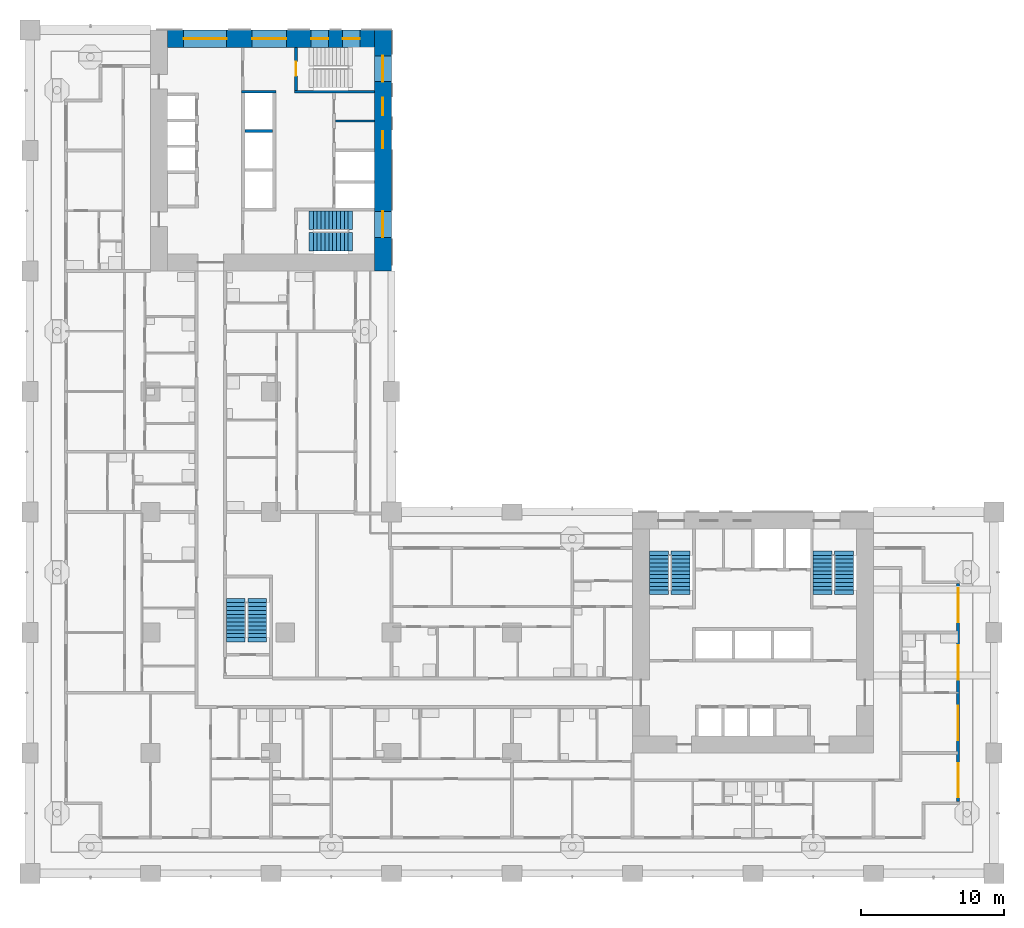
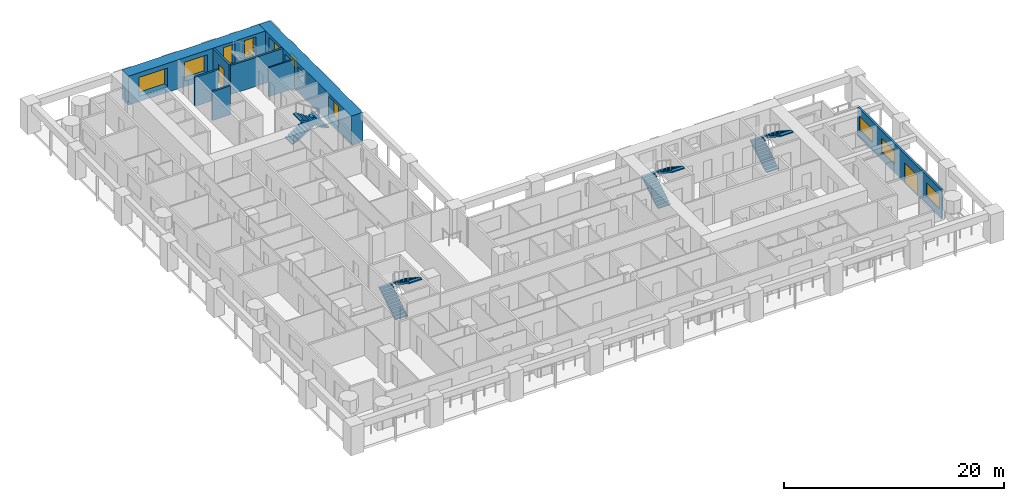
# One storey, part 10 of 21: 11 windows, 8 stair flights, 8 walls, 2 doors, 13 openings, 4 elements without a shape of their own.
"""IFC4 building model written with IfcOpenShell, lengths in metres."""

from ifc_helpers import new_model, si_unit, direction, frame, frame_2d, origin, place, context, subcontext, project, spatial, polyline, rectangle, outline, extrude, material, layer, layer_set, type_object, element, fill, aggregate, save


model = new_model("IFC4")

# Units and contexts
model_context = context("Model", 3, precision=1e-05, world=origin(), true_north=direction((0.0, 1.0)))
body_context = subcontext(model_context, "Body", "Model", "MODEL_VIEW")
ifc_project = project(units=[si_unit("LENGTHUNIT", "METRE"), si_unit("AREAUNIT", "SQUARE_METRE"), si_unit("VOLUMEUNIT", "CUBIC_METRE"), si_unit("PLANEANGLEUNIT", "RADIAN"), si_unit("MASSUNIT", "GRAM", prefix="KILO")], contexts=[model_context])

# Site, building, storey
site_placement = place(None, origin())
site = spatial("IfcSite", under=ifc_project, at=site_placement, CompositionType="ELEMENT")
building_placement = place(site_placement, origin())
building = spatial("IfcBuilding", under=site, at=building_placement, Name="Vermilion Gate Residences", CompositionType="ELEMENT")
storey_placement = place(building_placement, frame((0.0, 0.0, 67.199951171875)))
storey = spatial("IfcBuildingStorey", under=building, at=storey_placement, Name="L16", CompositionType="ELEMENT", Elevation=67.199951171875)

# Wall
ifc_material_1 = material(Name="Masonry blockwork", Category="masonry")
ifc_layer_1 = layer(ifc_material_1, 0.14990234375)
ifc_layer_set_1 = layer_set([ifc_layer_1], Name="BLOCKWORK PARTITION 150 EI 120")
wall_type_1 = type_object("IfcWallType", Name="BLOCKWORK PARTITION 150 EI 120", PredefinedType="PARTITIONING", material=ifc_layer_set_1)
wall_1_placement = place(storey_placement, frame((21.300048828125, 52.449951171875, 0.0), z_axis=(0.0, 0.0, 1.0), x_axis=(1.0, 0.0, 0.0)))
element("IfcWall", 1, at=wall_1_placement, inside=storey, type_object=wall_type_1, Name="Core room partition B16-NR-P0", PredefinedType="PARTITIONING", context=body_context, shape_type="SweptSolid", body=[
    extrude(rectangle(XDim=2.699951171875, YDim=0.14990234375, at=frame_2d((1.35009765625, 0.0))), origin(), (0.0, 0.0, 1.0), 3.219970703125),
])

# Wall, openings, door, windows
ifc_material_2 = material(Name="Insulated steel stud wall with terracotta rainscreen", Category="masonry")
ifc_layer_2 = layer(ifc_material_2, 0.199951171875)
ifc_layer_set_2 = layer_set([ifc_layer_2], Name="EXTERNAL WALL 200 TERRACOTTA RAINSCREEN")
wall_type_2 = type_object("IfcWallType", Name="EXTERNAL WALL 200 TERRACOTTA RAINSCREEN", PredefinedType="SOLIDWALL", material=ifc_layer_set_2)
wall_2_placement = place(storey_placement, frame((64.699951171875, 5.0, 0.0), z_axis=(0.0, 0.0, 1.0), x_axis=(0.0, 1.0, 0.0)))
wall_2 = element("IfcWall", 2, at=wall_2_placement, inside=storey, type_object=wall_type_2, Name="External wall", PredefinedType="SOLIDWALL", context=body_context, shape_type="SweptSolid", body=[
    extrude(rectangle(XDim=15.199951171875, YDim=0.199951171875, at=frame_2d((7.60009765625, 0.0))), origin(), (0.0, 0.0, 1.0), 3.219970703125),
])
opening_1_placement = place(wall_2_placement, frame((0.300048828125, 0.0, 0.89990234375)))
opening_1 = element("IfcOpeningElement", 3, at=opening_1_placement, cuts=wall_2, Name="Opening WE16028", PredefinedType="OPENING", context=body_context, shape_type="SweptSolid", body=[
    extrude(rectangle(XDim=2.39990234375, YDim=1.5, at=frame_2d((1.199951171875, 0.75))), frame((0.0, 0.10986328125, 0.0), z_axis=(0.0, -1.0, 0.0), x_axis=(1.0, 0.0, 0.0)), (0.0, 0.0, 1.0), 0.219970703125),
])
opening_2_placement = place(wall_2_placement, frame((4.300048828125, 0.0, 0.0)))
opening_2 = element("IfcOpeningElement", 4, at=opening_2_placement, cuts=wall_2, Name="Opening DE16029", PredefinedType="OPENING", context=body_context, shape_type="SweptSolid", body=[
    extrude(rectangle(XDim=2.39990234375, YDim=2.199951171875, at=frame_2d((1.199951171875, 1.10009765625))), frame((0.0, 0.10986328125, 0.0), z_axis=(0.0, -1.0, 0.0), x_axis=(1.0, 0.0, 0.0)), (0.0, 0.0, 1.0), 0.219970703125),
])
opening_3_placement = place(wall_2_placement, frame((8.5, 0.0, 0.89990234375)))
opening_3 = element("IfcOpeningElement", 5, at=opening_3_placement, cuts=wall_2, Name="Opening WE16030", PredefinedType="OPENING", context=body_context, shape_type="SweptSolid", body=[
    extrude(rectangle(XDim=2.39990234375, YDim=1.5, at=frame_2d((1.199951171875, 0.75))), frame((0.0, 0.10986328125, 0.0), z_axis=(0.0, -1.0, 0.0), x_axis=(1.0, 0.0, 0.0)), (0.0, 0.0, 1.0), 0.219970703125),
])
opening_4_placement = place(wall_2_placement, frame((12.5, 0.0, 0.89990234375)))
opening_4 = element("IfcOpeningElement", 6, at=opening_4_placement, cuts=wall_2, Name="Opening WE16031", PredefinedType="OPENING", context=body_context, shape_type="SweptSolid", body=[
    extrude(rectangle(XDim=2.39990234375, YDim=1.5, at=frame_2d((1.199951171875, 0.75))), frame((0.0, 0.10986328125, 0.0), z_axis=(0.0, -1.0, 0.0), x_axis=(1.0, 0.0, 0.0)), (0.0, 0.0, 1.0), 0.219970703125),
])
ifc_material_3 = material(Name="Aluminium and clear glass", Category="aluminium")
door_type_1 = type_object("IfcDoorType", Name="SLIDING GLAZED DOOR 2400 X 2200", OperationType="DOUBLE_DOOR_SLIDING", PredefinedType="DOOR", material=ifc_material_3)
door_1_placement = place(opening_2_placement, origin())
door_1 = element("IfcDoor", 7, at=door_1_placement, inside=storey, type_object=door_type_1, Name="Loggia sliding door", OperationType="DOUBLE_DOOR_SLIDING", OverallHeight=2.199951171875, OverallWidth=2.39990234375, PredefinedType="DOOR", context=body_context, shape_type="SweptSolid", body=[
    extrude(rectangle(XDim=2.39990234375, YDim=2.199951171875, at=frame_2d((1.199951171875, 1.10009765625))), frame((0.0, 0.02490234375, 0.0), z_axis=(0.0, -1.0, 0.0), x_axis=(1.0, 0.0, 0.0)), (0.0, 0.0, 1.0), 0.050048828125),
])
fill(opening_2, door_1)
ifc_material_4 = material(Name="Aluminium and clear glass", Category="aluminium")
window_type_1 = type_object("IfcWindowType", Name="WINDOW 2400 X 1500", PartitioningType="SINGLE_PANEL", PredefinedType="WINDOW", material=ifc_material_4)
window_1_placement = place(opening_1_placement, origin())
window_1 = element("IfcWindow", 8, at=window_1_placement, inside=storey, type_object=window_type_1, Name="Window", OverallHeight=1.5, OverallWidth=2.39990234375, PartitioningType="SINGLE_PANEL", PredefinedType="WINDOW", context=body_context, shape_type="SweptSolid", body=[
    extrude(rectangle(XDim=2.39990234375, YDim=1.5, at=frame_2d((1.199951171875, 0.75))), frame((0.0, 0.030029296875, 0.0), z_axis=(0.0, -1.0, 0.0), x_axis=(1.0, 0.0, 0.0)), (0.0, 0.0, 1.0), 0.06005859375),
])
fill(opening_1, window_1)
window_2_placement = place(opening_3_placement, origin())
window_2 = element("IfcWindow", 9, at=window_2_placement, inside=storey, type_object=window_type_1, Name="Window", OverallHeight=1.5, OverallWidth=2.39990234375, PartitioningType="SINGLE_PANEL", PredefinedType="WINDOW", context=body_context, shape_type="SweptSolid", body=[
    extrude(rectangle(XDim=2.39990234375, YDim=1.5, at=frame_2d((1.199951171875, 0.75))), frame((0.0, 0.030029296875, 0.0), z_axis=(0.0, -1.0, 0.0), x_axis=(1.0, 0.0, 0.0)), (0.0, 0.0, 1.0), 0.06005859375),
])
fill(opening_3, window_2)
window_3_placement = place(opening_4_placement, origin())
window_3 = element("IfcWindow", 10, at=window_3_placement, inside=storey, type_object=window_type_1, Name="Window", OverallHeight=1.5, OverallWidth=2.39990234375, PartitioningType="SINGLE_PANEL", PredefinedType="WINDOW", context=body_context, shape_type="SweptSolid", body=[
    extrude(rectangle(XDim=2.39990234375, YDim=1.5, at=frame_2d((1.199951171875, 0.75))), frame((0.0, 0.030029296875, 0.0), z_axis=(0.0, -1.0, 0.0), x_axis=(1.0, 0.0, 0.0)), (0.0, 0.0, 1.0), 0.06005859375),
])
fill(opening_4, window_3)

# Walls
ifc_material_5 = material(Name="Concrete C60", Category="concrete")
ifc_layer_3 = layer(ifc_material_5, 0.199951171875)
ifc_layer_set_3 = layer_set([ifc_layer_3], Name="RC CORE INTERNAL WALL 200 C60")
wall_type_3 = type_object("IfcWallType", Name="RC CORE INTERNAL WALL 200 C60", PredefinedType="SHEAR", material=ifc_layer_set_3)
wall_3_placement = place(storey_placement, frame((15.0, 51.7666015625, 0.0), z_axis=(0.0, 0.0, 1.0), x_axis=(1.0, 0.0, 0.0)))
element("IfcWall", 11, at=wall_3_placement, inside=storey, type_object=wall_type_3, Name="Core internal wall B16-HR-D1", PredefinedType="SHEAR", context=body_context, shape_type="SweptSolid", body=[
    extrude(rectangle(XDim=1.89990234375, YDim=0.199951171875, at=frame_2d((0.949951171875, 0.0))), origin(), (0.0, 0.0, 1.0), 3.219970703125),
])
wall_4_placement = place(storey_placement, frame((14.75, 54.5, 0.0), z_axis=(0.0, 0.0, 1.0), x_axis=(1.0, 0.0, 0.0)))
element("IfcWall", 12, at=wall_4_placement, inside=storey, type_object=wall_type_3, Name="Core internal wall B16-WDIV1", PredefinedType="SHEAR", context=body_context, shape_type="SweptSolid", body=[
    extrude(rectangle(XDim=2.39990234375, YDim=0.199951171875, at=frame_2d((1.199951171875, 0.0))), origin(), (0.0, 0.0, 1.0), 3.219970703125),
])
wall_5_placement = place(storey_placement, frame((18.449951171875, 54.5, 0.0), z_axis=(0.0, 0.0, 1.0), x_axis=(1.0, 0.0, 0.0)))
element("IfcWall", 13, at=wall_5_placement, inside=storey, type_object=wall_type_3, Name="Core internal wall B16-WDIV2", PredefinedType="SHEAR", context=body_context, shape_type="SweptSolid", body=[
    extrude(rectangle(XDim=5.550048828125, YDim=0.199951171875, at=frame_2d((2.77490234375, 0.0))), origin(), (0.0, 0.0, 1.0), 3.219970703125),
])

# Wall, opening, door
wall_6_placement = place(storey_placement, frame((18.550048828125, 57.60009765625, 0.0), z_axis=(0.0, 0.0, 1.0), x_axis=(0.0, -1.0, 0.0)))
wall_6 = element("IfcWall", 14, at=wall_6_placement, inside=storey, type_object=wall_type_3, Name="Core internal wall B16-STW-S", PredefinedType="SHEAR", context=body_context, shape_type="SweptSolid", body=[
    extrude(rectangle(XDim=3.0, YDim=0.199951171875, at=frame_2d((1.5, 0.0))), origin(), (0.0, 0.0, 1.0), 3.219970703125),
])
opening_5_placement = place(wall_6_placement, frame((1.0, 0.0, 0.0)))
opening_5 = element("IfcOpeningElement", 15, at=opening_5_placement, cuts=wall_6, Name="Opening DK16113", PredefinedType="OPENING", context=body_context, shape_type="SweptSolid", body=[
    extrude(rectangle(XDim=1.0, YDim=2.10009765625, at=frame_2d((0.5, 1.050048828125))), frame((0.0, 0.10986328125, 0.0), z_axis=(0.0, -1.0, 0.0), x_axis=(1.0, 0.0, 0.0)), (0.0, 0.0, 1.0), 0.219970703125),
])
ifc_material_6 = material(Name="Steel", Category="steel")
door_type_2 = type_object("IfcDoorType", Name="FIRE DOOR FD60 1000 X 2100", OperationType="SINGLE_SWING_LEFT", PredefinedType="DOOR", material=ifc_material_6)
door_2_placement = place(opening_5_placement, origin())
door_2 = element("IfcDoor", 16, at=door_2_placement, inside=storey, type_object=door_type_2, Name="Stair door B16", OperationType="SINGLE_SWING_LEFT", OverallHeight=2.10009765625, OverallWidth=1.0, PredefinedType="DOOR", context=body_context, shape_type="SweptSolid", body=[
    extrude(rectangle(XDim=1.0, YDim=2.10009765625, at=frame_2d((0.5, 1.050048828125))), frame((0.0, 0.02490234375, 0.0), z_axis=(0.0, -1.0, 0.0), x_axis=(1.0, 0.0, 0.0)), (0.0, 0.0, 1.0), 0.050048828125),
])
fill(opening_5, door_2)

# Wall, openings, windows
ifc_material_7 = material(Name="Concrete C80 red-oxide pigmented", Category="concrete")
ifc_layer_4 = layer(ifc_material_7, 1.199951171875)
ifc_layer_set_4 = layer_set([ifc_layer_4], Name="RC CORE WALL 1200 C80 RED OXIDE")
wall_type_4 = type_object("IfcWallType", Name="RC CORE WALL 1200 C80 RED OXIDE", PredefinedType="SHEAR", material=ifc_layer_set_4)
wall_7_placement = place(storey_placement, frame((24.60009765625, 58.800048828125, 0.0), z_axis=(0.0, 0.0, 1.0), x_axis=(0.0, -1.0, 0.0)))
wall_7 = element("IfcWall", 17, at=wall_7_placement, inside=storey, type_object=wall_type_4, Name="Core wall B16-OUT-B1", PredefinedType="SHEAR", context=body_context, shape_type="SweptSolid", body=[
    extrude(rectangle(XDim=16.800048828125, YDim=1.199951171875, at=frame_2d((8.39990234375, 0.0))), origin(), (0.0, 0.0, 1.0), 3.219970703125),
])
opening_6_placement = place(wall_7_placement, frame((1.800048828125, 0.0, 0.5)))
opening_6 = element("IfcOpeningElement", 18, at=opening_6_placement, cuts=wall_7, Name="Opening WKB1601", PredefinedType="OPENING", context=body_context, shape_type="SweptSolid", body=[
    extrude(rectangle(XDim=1.800048828125, YDim=2.39990234375, at=frame_2d((0.89990234375, 1.199951171875))), frame((0.0, 0.60986328125, 0.0), z_axis=(0.0, -1.0, 0.0), x_axis=(1.0, 0.0, 0.0)), (0.0, 0.0, 1.0), 1.219970703125),
])
opening_7_placement = place(wall_7_placement, frame((4.737548828125, 0.0, 1.60009765625)))
opening_7 = element("IfcOpeningElement", 19, at=opening_7_placement, cuts=wall_7, Name="Opening WKB1602", PredefinedType="OPENING", context=body_context, shape_type="SweptSolid", body=[
    extrude(rectangle(XDim=1.199951171875, YDim=1.199951171875, at=frame_2d((0.60009765625, 0.60009765625))), frame((0.0, 0.60986328125, 0.0), z_axis=(0.0, -1.0, 0.0), x_axis=(1.0, 0.0, 0.0)), (0.0, 0.0, 1.0), 1.219970703125),
])
opening_8_placement = place(wall_7_placement, frame((7.050048828125, 0.0, 1.60009765625)))
opening_8 = element("IfcOpeningElement", 20, at=opening_8_placement, cuts=wall_7, Name="Opening WKB1603", PredefinedType="OPENING", context=body_context, shape_type="SweptSolid", body=[
    extrude(rectangle(XDim=1.199951171875, YDim=1.199951171875, at=frame_2d((0.60009765625, 0.60009765625))), frame((0.0, 0.60986328125, 0.0), z_axis=(0.0, -1.0, 0.0), x_axis=(1.0, 0.0, 0.0)), (0.0, 0.0, 1.0), 1.219970703125),
])
opening_9_placement = place(wall_7_placement, frame((12.64990234375, 0.0, 0.5)))
opening_9 = element("IfcOpeningElement", 21, at=opening_9_placement, cuts=wall_7, Name="Opening WKB1604", PredefinedType="OPENING", context=body_context, shape_type="SweptSolid", body=[
    extrude(rectangle(XDim=1.800048828125, YDim=2.39990234375, at=frame_2d((0.89990234375, 1.199951171875))), frame((0.0, 0.60986328125, 0.0), z_axis=(0.0, -1.0, 0.0), x_axis=(1.0, 0.0, 0.0)), (0.0, 0.0, 1.0), 1.219970703125),
])
ifc_material_8 = material(Name="Aluminium frame with louvre blades", Category="aluminium")
window_type_2 = type_object("IfcWindowType", Name="CORE LOUVRE 1200 X 1200", PartitioningType="SINGLE_PANEL", PredefinedType="WINDOW", material=ifc_material_8)
window_4_placement = place(opening_7_placement, origin())
window_4 = element("IfcWindow", 22, at=window_4_placement, inside=storey, type_object=window_type_2, Name="Core louvre", OverallHeight=1.199951171875, OverallWidth=1.199951171875, PartitioningType="SINGLE_PANEL", PredefinedType="WINDOW", context=body_context, shape_type="SweptSolid", body=[
    extrude(rectangle(XDim=1.199951171875, YDim=1.199951171875, at=frame_2d((0.60009765625, 0.60009765625))), frame((0.0, 0.030029296875, 0.0), z_axis=(0.0, -1.0, 0.0), x_axis=(1.0, 0.0, 0.0)), (0.0, 0.0, 1.0), 0.06005859375),
])
fill(opening_7, window_4)
window_5_placement = place(opening_8_placement, origin())
window_5 = element("IfcWindow", 23, at=window_5_placement, inside=storey, type_object=window_type_2, Name="Core louvre", OverallHeight=1.199951171875, OverallWidth=1.199951171875, PartitioningType="SINGLE_PANEL", PredefinedType="WINDOW", context=body_context, shape_type="SweptSolid", body=[
    extrude(rectangle(XDim=1.199951171875, YDim=1.199951171875, at=frame_2d((0.60009765625, 0.60009765625))), frame((0.0, 0.030029296875, 0.0), z_axis=(0.0, -1.0, 0.0), x_axis=(1.0, 0.0, 0.0)), (0.0, 0.0, 1.0), 0.06005859375),
])
fill(opening_8, window_5)
ifc_material_9 = material(Name="Aluminium and clear glass", Category="aluminium")
window_type_3 = type_object("IfcWindowType", Name="CORE STAIR WINDOW 1800 X 2400", PartitioningType="SINGLE_PANEL", PredefinedType="WINDOW", material=ifc_material_9)
window_6_placement = place(opening_6_placement, origin())
window_6 = element("IfcWindow", 24, at=window_6_placement, inside=storey, type_object=window_type_3, Name="Core stair window", OverallHeight=2.39990234375, OverallWidth=1.800048828125, PartitioningType="SINGLE_PANEL", PredefinedType="WINDOW", context=body_context, shape_type="SweptSolid", body=[
    extrude(rectangle(XDim=1.800048828125, YDim=2.39990234375, at=frame_2d((0.89990234375, 1.199951171875))), frame((0.0, 0.030029296875, 0.0), z_axis=(0.0, -1.0, 0.0), x_axis=(1.0, 0.0, 0.0)), (0.0, 0.0, 1.0), 0.06005859375),
])
fill(opening_6, window_6)
window_7_placement = place(opening_9_placement, origin())
window_7 = element("IfcWindow", 25, at=window_7_placement, inside=storey, type_object=window_type_3, Name="Core stair window", OverallHeight=2.39990234375, OverallWidth=1.800048828125, PartitioningType="SINGLE_PANEL", PredefinedType="WINDOW", context=body_context, shape_type="SweptSolid", body=[
    extrude(rectangle(XDim=1.800048828125, YDim=2.39990234375, at=frame_2d((0.89990234375, 1.199951171875))), frame((0.0, 0.030029296875, 0.0), z_axis=(0.0, -1.0, 0.0), x_axis=(1.0, 0.0, 0.0)), (0.0, 0.0, 1.0), 0.06005859375),
])
fill(opening_9, window_7)

wall_8_placement = place(storey_placement, frame((9.60009765625, 58.199951171875, 0.0), z_axis=(0.0, 0.0, 1.0), x_axis=(1.0, 0.0, 0.0)))
wall_8 = element("IfcWall", 26, at=wall_8_placement, inside=storey, type_object=wall_type_4, Name="Core wall B16-OUT-FR", PredefinedType="SHEAR", context=body_context, shape_type="SweptSolid", body=[
    extrude(rectangle(XDim=14.39990234375, YDim=1.199951171875, at=frame_2d((7.199951171875, 0.0))), origin(), (0.0, 0.0, 1.0), 3.219970703125),
])
opening_10_placement = place(wall_8_placement, frame((1.10498046875, 0.0, 0.60009765625)))
opening_10 = element("IfcOpeningElement", 27, at=opening_10_placement, cuts=wall_8, Name="Opening WKB1605", PredefinedType="OPENING", context=body_context, shape_type="SweptSolid", body=[
    extrude(rectangle(XDim=3.0, YDim=2.10009765625, at=frame_2d((1.5, 1.050048828125))), frame((0.0, 0.60986328125, 0.0), z_axis=(0.0, -1.0, 0.0), x_axis=(1.0, 0.0, 0.0)), (0.0, 0.0, 1.0), 1.219970703125),
])
opening_11_placement = place(wall_8_placement, frame((5.875, 0.0, 0.60009765625)))
opening_11 = element("IfcOpeningElement", 28, at=opening_11_placement, cuts=wall_8, Name="Opening WKB1606", PredefinedType="OPENING", context=body_context, shape_type="SweptSolid", body=[
    extrude(rectangle(XDim=2.39990234375, YDim=2.10009765625, at=frame_2d((1.199951171875, 1.050048828125))), frame((0.0, 0.60986328125, 0.0), z_axis=(0.0, -1.0, 0.0), x_axis=(1.0, 0.0, 0.0)), (0.0, 0.0, 1.0), 1.219970703125),
])
opening_12_placement = place(wall_8_placement, frame((9.993408203125, 0.0, 0.5)))
opening_12 = element("IfcOpeningElement", 29, at=opening_12_placement, cuts=wall_8, Name="Opening WKB1607", PredefinedType="OPENING", context=body_context, shape_type="SweptSolid", body=[
    extrude(rectangle(XDim=1.199951171875, YDim=2.39990234375, at=frame_2d((0.60009765625, 1.199951171875))), frame((0.0, 0.60986328125, 0.0), z_axis=(0.0, -1.0, 0.0), x_axis=(1.0, 0.0, 0.0)), (0.0, 0.0, 1.0), 1.219970703125),
])
opening_13_placement = place(wall_8_placement, frame((12.19677734375, 0.0, 0.5)))
opening_13 = element("IfcOpeningElement", 30, at=opening_13_placement, cuts=wall_8, Name="Opening WKB1608", PredefinedType="OPENING", context=body_context, shape_type="SweptSolid", body=[
    extrude(rectangle(XDim=1.199951171875, YDim=2.39990234375, at=frame_2d((0.60009765625, 1.199951171875))), frame((0.0, 0.60986328125, 0.0), z_axis=(0.0, -1.0, 0.0), x_axis=(1.0, 0.0, 0.0)), (0.0, 0.0, 1.0), 1.219970703125),
])
ifc_material_10 = material(Name="Aluminium and clear glass", Category="aluminium")
window_type_4 = type_object("IfcWindowType", Name="CORE LOBBY WINDOW 2400 X 2100", PartitioningType="SINGLE_PANEL", PredefinedType="WINDOW", material=ifc_material_10)
window_8_placement = place(opening_11_placement, origin())
window_8 = element("IfcWindow", 31, at=window_8_placement, inside=storey, type_object=window_type_4, Name="Core lobby window", OverallHeight=2.10009765625, OverallWidth=2.39990234375, PartitioningType="SINGLE_PANEL", PredefinedType="WINDOW", context=body_context, shape_type="SweptSolid", body=[
    extrude(rectangle(XDim=2.39990234375, YDim=2.10009765625, at=frame_2d((1.199951171875, 1.050048828125))), frame((0.0, 0.030029296875, 0.0), z_axis=(0.0, -1.0, 0.0), x_axis=(1.0, 0.0, 0.0)), (0.0, 0.0, 1.0), 0.06005859375),
])
fill(opening_11, window_8)
ifc_material_11 = material(Name="Aluminium and clear glass", Category="aluminium")
window_type_5 = type_object("IfcWindowType", Name="CORE LOBBY WINDOW 3000 X 2100", PartitioningType="SINGLE_PANEL", PredefinedType="WINDOW", material=ifc_material_11)
window_9_placement = place(opening_10_placement, origin())
window_9 = element("IfcWindow", 32, at=window_9_placement, inside=storey, type_object=window_type_5, Name="Core lobby window", OverallHeight=2.10009765625, OverallWidth=3.0, PartitioningType="SINGLE_PANEL", PredefinedType="WINDOW", context=body_context, shape_type="SweptSolid", body=[
    extrude(rectangle(XDim=3.0, YDim=2.10009765625, at=frame_2d((1.5, 1.050048828125))), frame((0.0, 0.030029296875, 0.0), z_axis=(0.0, -1.0, 0.0), x_axis=(1.0, 0.0, 0.0)), (0.0, 0.0, 1.0), 0.06005859375),
])
fill(opening_10, window_9)
ifc_material_12 = material(Name="Aluminium and clear glass", Category="aluminium")
window_type_6 = type_object("IfcWindowType", Name="CORE STAIR WINDOW 1200 X 2400", PartitioningType="SINGLE_PANEL", PredefinedType="WINDOW", material=ifc_material_12)
window_10_placement = place(opening_12_placement, origin())
window_10 = element("IfcWindow", 33, at=window_10_placement, inside=storey, type_object=window_type_6, Name="Core stair window", OverallHeight=2.39990234375, OverallWidth=1.199951171875, PartitioningType="SINGLE_PANEL", PredefinedType="WINDOW", context=body_context, shape_type="SweptSolid", body=[
    extrude(rectangle(XDim=1.199951171875, YDim=2.39990234375, at=frame_2d((0.60009765625, 1.199951171875))), frame((0.0, 0.030029296875, 0.0), z_axis=(0.0, -1.0, 0.0), x_axis=(1.0, 0.0, 0.0)), (0.0, 0.0, 1.0), 0.06005859375),
])
fill(opening_12, window_10)
window_11_placement = place(opening_13_placement, origin())
window_11 = element("IfcWindow", 34, at=window_11_placement, inside=storey, type_object=window_type_6, Name="Core stair window", OverallHeight=2.39990234375, OverallWidth=1.199951171875, PartitioningType="SINGLE_PANEL", PredefinedType="WINDOW", context=body_context, shape_type="SweptSolid", body=[
    extrude(rectangle(XDim=1.199951171875, YDim=2.39990234375, at=frame_2d((0.60009765625, 1.199951171875))), frame((0.0, 0.030029296875, 0.0), z_axis=(0.0, -1.0, 0.0), x_axis=(1.0, 0.0, 0.0)), (0.0, 0.0, 1.0), 0.06005859375),
])
fill(opening_13, window_11)

# Stair, stair flights
ifc_material_13 = material(Name="Concrete C50", Category="concrete")
stair_type = type_object("IfcStairType", Name="SPECIAL ESCAPE STAIR 1300", PredefinedType="HALF_TURN_STAIR", material=ifc_material_13)
stair_1_placement = place(storey_placement, origin())
stair_1 = element("IfcStair", 35, at=stair_1_placement, inside=storey, type_object=stair_type, Name="Special escape stair STA1-16", PredefinedType="HALF_TURN_STAIR")
ifc_material_14 = material(Name="Concrete C50", Category="concrete")
stair_flight_type = type_object("IfcStairFlightType", Name="STAIR FLIGHT 1300 RC C50", PredefinedType="STRAIGHT", material=ifc_material_14)
stair_flight_1_placement = place(storey_placement, frame((43.85009765625, 19.75, 0.0), z_axis=(0.0, 0.0, 1.0), x_axis=(0.0, 1.0, 0.0)))
stair_flight_1 = element("IfcStairFlight", 36, at=stair_flight_1_placement, type_object=stair_flight_type, Name="STA1-16 flight 1", NumberOfRisers=10, NumberOfTreads=9, PredefinedType="STRAIGHT", RiserHeight=0.175, TreadLength=0.27, context=body_context, shape_type="SweptSolid", body=[
    extrude(outline(polyline([(-0.300048828125, -0.14990234375), (-0.300048828125, -0.030029296875), (0.0, 0.0), (0.0, 0.175048828125), (0.27001953125, 0.175048828125), (0.27001953125, 0.35009765625), (0.5400390625, 0.35009765625), (0.5400390625, 0.52490234375), (0.81005859375, 0.52490234375), (0.81005859375, 0.699951171875), (1.080078125, 0.699951171875), (1.080078125, 0.875), (1.35009765625, 0.875), (1.35009765625, 1.050048828125), (1.6201171875, 1.050048828125), (1.6201171875, 1.22509765625), (1.889892578125, 1.22509765625), (1.889892578125, 1.39990234375), (2.159912109375, 1.39990234375), (2.159912109375, 1.574951171875), (2.429931640625, 1.574951171875), (2.429931640625, 1.75), (2.72998046875, 1.719970703125), (2.72998046875, 1.60009765625), (2.429931640625, 1.396484375), (0.275634765625, 0.0), (-0.300048828125, -0.14990234375)])), frame((0.0, 0.64990234375, 0.0), z_axis=(0.0, -1.0, 0.0), x_axis=(1.0, 0.0, 0.0)), (0.0, 0.0, 1.0), 1.300048828125),
])
stair_flight_2_placement = place(storey_placement, frame((45.35009765625, 22.179931640625, 1.75), z_axis=(0.0, 0.0, 1.0), x_axis=(0.0, -1.0, 0.0)))
stair_flight_2 = element("IfcStairFlight", 37, at=stair_flight_2_placement, type_object=stair_flight_type, Name="STA1-16 flight 2", NumberOfRisers=10, NumberOfTreads=9, PredefinedType="STRAIGHT", RiserHeight=0.175, TreadLength=0.27, context=body_context, shape_type="SweptSolid", body=[
    extrude(outline(polyline([(-0.300048828125, -0.14990234375), (-0.300048828125, -0.030029296875), (0.0, 0.0), (0.0, 0.175048828125), (0.27001953125, 0.175048828125), (0.27001953125, 0.35009765625), (0.5400390625, 0.35009765625), (0.5400390625, 0.52490234375), (0.81005859375, 0.52490234375), (0.81005859375, 0.699951171875), (1.080078125, 0.699951171875), (1.080078125, 0.875), (1.35009765625, 0.875), (1.35009765625, 1.050048828125), (1.6201171875, 1.050048828125), (1.6201171875, 1.22509765625), (1.889892578125, 1.22509765625), (1.889892578125, 1.39990234375), (2.159912109375, 1.39990234375), (2.159912109375, 1.574951171875), (2.429931640625, 1.574951171875), (2.429931640625, 1.75), (2.72998046875, 1.719970703125), (2.72998046875, 1.60009765625), (2.429931640625, 1.396484375), (0.275634765625, 0.0), (-0.300048828125, -0.14990234375)])), frame((0.0, 0.64990234375, 0.0), z_axis=(0.0, -1.0, 0.0), x_axis=(1.0, 0.0, 0.0)), (0.0, 0.0, 1.0), 1.300048828125),
])
aggregate(stair_1, [stair_flight_1, stair_flight_2])

stair_2_placement = place(storey_placement, origin())
stair_2 = element("IfcStair", 38, at=stair_2_placement, inside=storey, type_object=stair_type, Name="Special escape stair STA2-16", PredefinedType="HALF_TURN_STAIR")
stair_flight_3_placement = place(storey_placement, frame((55.25, 19.75, 0.0), z_axis=(0.0, 0.0, 1.0), x_axis=(0.0, 1.0, 0.0)))
stair_flight_3 = element("IfcStairFlight", 39, at=stair_flight_3_placement, type_object=stair_flight_type, Name="STA2-16 flight 1", NumberOfRisers=10, NumberOfTreads=9, PredefinedType="STRAIGHT", RiserHeight=0.175, TreadLength=0.27, context=body_context, shape_type="SweptSolid", body=[
    extrude(outline(polyline([(-0.300048828125, -0.14990234375), (-0.300048828125, -0.030029296875), (0.0, 0.0), (0.0, 0.175048828125), (0.27001953125, 0.175048828125), (0.27001953125, 0.35009765625), (0.5400390625, 0.35009765625), (0.5400390625, 0.52490234375), (0.81005859375, 0.52490234375), (0.81005859375, 0.699951171875), (1.080078125, 0.699951171875), (1.080078125, 0.875), (1.35009765625, 0.875), (1.35009765625, 1.050048828125), (1.6201171875, 1.050048828125), (1.6201171875, 1.22509765625), (1.889892578125, 1.22509765625), (1.889892578125, 1.39990234375), (2.159912109375, 1.39990234375), (2.159912109375, 1.574951171875), (2.429931640625, 1.574951171875), (2.429931640625, 1.75), (2.72998046875, 1.719970703125), (2.72998046875, 1.60009765625), (2.429931640625, 1.396484375), (0.275634765625, 0.0), (-0.300048828125, -0.14990234375)])), frame((0.0, 0.64990234375, 0.0), z_axis=(0.0, -1.0, 0.0), x_axis=(1.0, 0.0, 0.0)), (0.0, 0.0, 1.0), 1.300048828125),
])
stair_flight_4_placement = place(storey_placement, frame((56.75, 22.179931640625, 1.75), z_axis=(0.0, 0.0, 1.0), x_axis=(0.0, -1.0, 0.0)))
stair_flight_4 = element("IfcStairFlight", 40, at=stair_flight_4_placement, type_object=stair_flight_type, Name="STA2-16 flight 2", NumberOfRisers=10, NumberOfTreads=9, PredefinedType="STRAIGHT", RiserHeight=0.175, TreadLength=0.27, context=body_context, shape_type="SweptSolid", body=[
    extrude(outline(polyline([(-0.300048828125, -0.14990234375), (-0.300048828125, -0.030029296875), (0.0, 0.0), (0.0, 0.175048828125), (0.27001953125, 0.175048828125), (0.27001953125, 0.35009765625), (0.5400390625, 0.35009765625), (0.5400390625, 0.52490234375), (0.81005859375, 0.52490234375), (0.81005859375, 0.699951171875), (1.080078125, 0.699951171875), (1.080078125, 0.875), (1.35009765625, 0.875), (1.35009765625, 1.050048828125), (1.6201171875, 1.050048828125), (1.6201171875, 1.22509765625), (1.889892578125, 1.22509765625), (1.889892578125, 1.39990234375), (2.159912109375, 1.39990234375), (2.159912109375, 1.574951171875), (2.429931640625, 1.574951171875), (2.429931640625, 1.75), (2.72998046875, 1.719970703125), (2.72998046875, 1.60009765625), (2.429931640625, 1.396484375), (0.275634765625, 0.0), (-0.300048828125, -0.14990234375)])), frame((0.0, 0.64990234375, 0.0), z_axis=(0.0, -1.0, 0.0), x_axis=(1.0, 0.0, 0.0)), (0.0, 0.0, 1.0), 1.300048828125),
])
aggregate(stair_2, [stair_flight_3, stair_flight_4])

stair_3_placement = place(storey_placement, origin())
stair_3 = element("IfcStair", 41, at=stair_3_placement, inside=storey, type_object=stair_type, Name="Special escape stair STB2-16", PredefinedType="HALF_TURN_STAIR")
stair_flight_5_placement = place(storey_placement, frame((19.75, 45.550048828125, 0.0), z_axis=(0.0, 0.0, 1.0), x_axis=(1.0, 0.0, 0.0)))
stair_flight_5 = element("IfcStairFlight", 42, at=stair_flight_5_placement, type_object=stair_flight_type, Name="STB2-16 flight 1", NumberOfRisers=10, NumberOfTreads=9, PredefinedType="STRAIGHT", RiserHeight=0.175, TreadLength=0.27, context=body_context, shape_type="SweptSolid", body=[
    extrude(outline(polyline([(-0.300048828125, -0.14990234375), (-0.300048828125, -0.030029296875), (0.0, 0.0), (0.0, 0.175048828125), (0.27001953125, 0.175048828125), (0.27001953125, 0.35009765625), (0.5400390625, 0.35009765625), (0.5400390625, 0.52490234375), (0.81005859375, 0.52490234375), (0.81005859375, 0.699951171875), (1.080078125, 0.699951171875), (1.080078125, 0.875), (1.35009765625, 0.875), (1.35009765625, 1.050048828125), (1.6201171875, 1.050048828125), (1.6201171875, 1.22509765625), (1.889892578125, 1.22509765625), (1.889892578125, 1.39990234375), (2.159912109375, 1.39990234375), (2.159912109375, 1.574951171875), (2.429931640625, 1.574951171875), (2.429931640625, 1.75), (2.72998046875, 1.719970703125), (2.72998046875, 1.60009765625), (2.429931640625, 1.396484375), (0.275634765625, 0.0), (-0.300048828125, -0.14990234375)])), frame((0.0, 0.64990234375, 0.0), z_axis=(0.0, -1.0, 0.0), x_axis=(1.0, 0.0, 0.0)), (0.0, 0.0, 1.0), 1.300048828125),
])
stair_flight_6_placement = place(storey_placement, frame((22.179931640625, 44.050048828125, 1.75), z_axis=(0.0, 0.0, 1.0), x_axis=(-1.0, 0.0, 0.0)))
stair_flight_6 = element("IfcStairFlight", 43, at=stair_flight_6_placement, type_object=stair_flight_type, Name="STB2-16 flight 2", NumberOfRisers=10, NumberOfTreads=9, PredefinedType="STRAIGHT", RiserHeight=0.175, TreadLength=0.27, context=body_context, shape_type="SweptSolid", body=[
    extrude(outline(polyline([(-0.300048828125, -0.14990234375), (-0.300048828125, -0.030029296875), (0.0, 0.0), (0.0, 0.175048828125), (0.27001953125, 0.175048828125), (0.27001953125, 0.35009765625), (0.5400390625, 0.35009765625), (0.5400390625, 0.52490234375), (0.81005859375, 0.52490234375), (0.81005859375, 0.699951171875), (1.080078125, 0.699951171875), (1.080078125, 0.875), (1.35009765625, 0.875), (1.35009765625, 1.050048828125), (1.6201171875, 1.050048828125), (1.6201171875, 1.22509765625), (1.889892578125, 1.22509765625), (1.889892578125, 1.39990234375), (2.159912109375, 1.39990234375), (2.159912109375, 1.574951171875), (2.429931640625, 1.574951171875), (2.429931640625, 1.75), (2.72998046875, 1.719970703125), (2.72998046875, 1.60009765625), (2.429931640625, 1.396484375), (0.275634765625, 0.0), (-0.300048828125, -0.14990234375)])), frame((0.0, 0.64990234375, 0.0), z_axis=(0.0, -1.0, 0.0), x_axis=(1.0, 0.0, 0.0)), (0.0, 0.0, 1.0), 1.300048828125),
])
aggregate(stair_3, [stair_flight_5, stair_flight_6])

stair_4_placement = place(storey_placement, origin())
stair_4 = element("IfcStair", 44, at=stair_4_placement, inside=storey, type_object=stair_type, Name="Special escape stair STC1-16", PredefinedType="HALF_TURN_STAIR")
stair_flight_7_placement = place(storey_placement, frame((14.35009765625, 16.449951171875, 0.0), z_axis=(0.0, 0.0, 1.0), x_axis=(0.0, 1.0, 0.0)))
stair_flight_7 = element("IfcStairFlight", 45, at=stair_flight_7_placement, type_object=stair_flight_type, Name="STC1-16 flight 1", NumberOfRisers=10, NumberOfTreads=9, PredefinedType="STRAIGHT", RiserHeight=0.175, TreadLength=0.27, context=body_context, shape_type="SweptSolid", body=[
    extrude(outline(polyline([(-0.300048828125, -0.14990234375), (-0.300048828125, -0.030029296875), (0.0, 0.0), (0.0, 0.175048828125), (0.27001953125, 0.175048828125), (0.27001953125, 0.35009765625), (0.5400390625, 0.35009765625), (0.5400390625, 0.52490234375), (0.81005859375, 0.52490234375), (0.81005859375, 0.699951171875), (1.080078125, 0.699951171875), (1.080078125, 0.875), (1.35009765625, 0.875), (1.35009765625, 1.050048828125), (1.6201171875, 1.050048828125), (1.6201171875, 1.22509765625), (1.889892578125, 1.22509765625), (1.889892578125, 1.39990234375), (2.159912109375, 1.39990234375), (2.159912109375, 1.574951171875), (2.429931640625, 1.574951171875), (2.429931640625, 1.75), (2.72998046875, 1.719970703125), (2.72998046875, 1.60009765625), (2.429931640625, 1.396484375), (0.275634765625, 0.0), (-0.300048828125, -0.14990234375)])), frame((0.0, 0.64990234375, 0.0), z_axis=(0.0, -1.0, 0.0), x_axis=(1.0, 0.0, 0.0)), (0.0, 0.0, 1.0), 1.300048828125),
])
stair_flight_8_placement = place(storey_placement, frame((15.85009765625, 18.8798828125, 1.75), z_axis=(0.0, 0.0, 1.0), x_axis=(0.0, -1.0, 0.0)))
stair_flight_8 = element("IfcStairFlight", 46, at=stair_flight_8_placement, type_object=stair_flight_type, Name="STC1-16 flight 2", NumberOfRisers=10, NumberOfTreads=9, PredefinedType="STRAIGHT", RiserHeight=0.175, TreadLength=0.27, context=body_context, shape_type="SweptSolid", body=[
    extrude(outline(polyline([(-0.300048828125, -0.14990234375), (-0.300048828125, -0.030029296875), (0.0, 0.0), (0.0, 0.175048828125), (0.27001953125, 0.175048828125), (0.27001953125, 0.35009765625), (0.5400390625, 0.35009765625), (0.5400390625, 0.52490234375), (0.81005859375, 0.52490234375), (0.81005859375, 0.699951171875), (1.080078125, 0.699951171875), (1.080078125, 0.875), (1.35009765625, 0.875), (1.35009765625, 1.050048828125), (1.6201171875, 1.050048828125), (1.6201171875, 1.22509765625), (1.889892578125, 1.22509765625), (1.889892578125, 1.39990234375), (2.159912109375, 1.39990234375), (2.159912109375, 1.574951171875), (2.429931640625, 1.574951171875), (2.429931640625, 1.75), (2.72998046875, 1.719970703125), (2.72998046875, 1.60009765625), (2.429931640625, 1.396484375), (0.275634765625, 0.0), (-0.300048828125, -0.14990234375)])), frame((0.0, 0.64990234375, 0.0), z_axis=(0.0, -1.0, 0.0), x_axis=(1.0, 0.0, 0.0)), (0.0, 0.0, 1.0), 1.300048828125),
])
aggregate(stair_4, [stair_flight_7, stair_flight_8])

save(model, "model.ifc")
